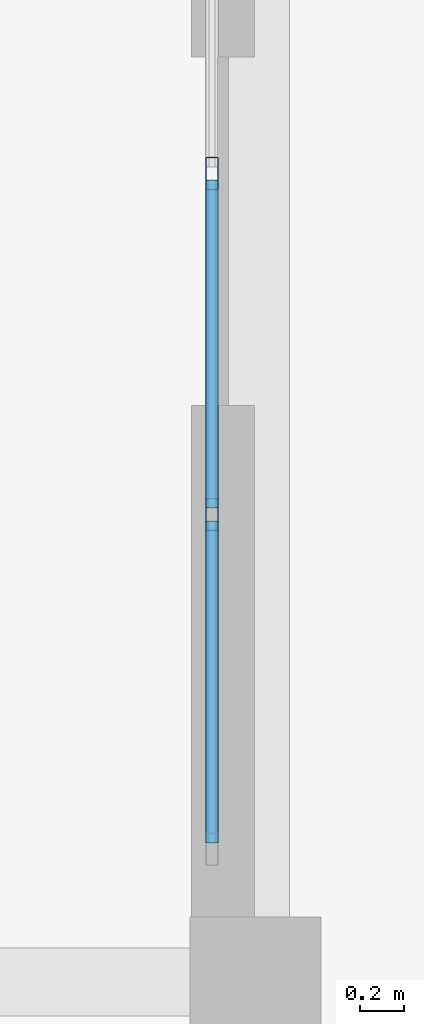
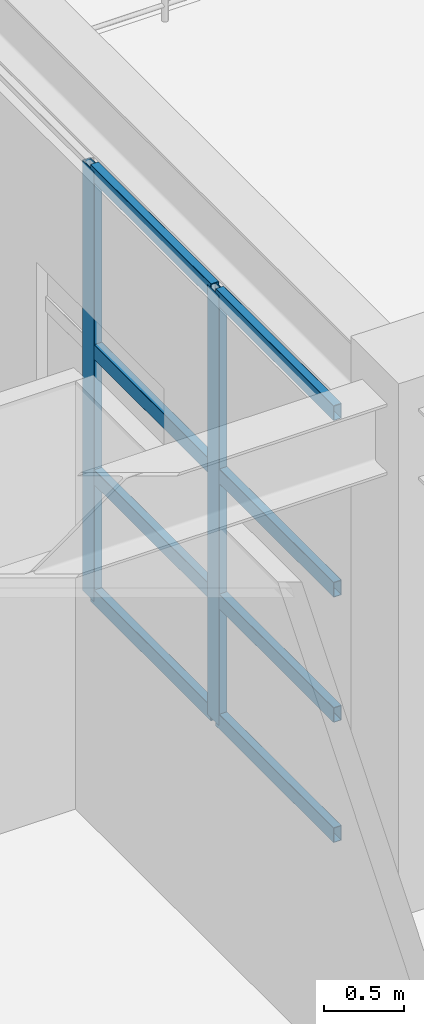
# One storey, part 38 of 110: 10 members, 1 element without a shape of its own.
"""IFC4 building model written with IfcOpenShell, lengths in metres."""

from ifc_helpers import new_model, si_unit, direction, frame, origin, origin_2d, place, context, subcontext, project, spatial, hollow_rectangle, extrude, material, material_profile, profile_set, type_object, element, aggregate, save


model = new_model("IFC4")

# Units and contexts
model_context = context("Model", 3, precision=1e-05, world=origin(), true_north=direction((0.0, 1.0)))
body_context = subcontext(model_context, "Body", "Model", "MODEL_VIEW")
ifc_project = project(units=[si_unit("LENGTHUNIT", "METRE"), si_unit("AREAUNIT", "SQUARE_METRE"), si_unit("VOLUMEUNIT", "CUBIC_METRE"), si_unit("PLANEANGLEUNIT", "RADIAN"), si_unit("MASSUNIT", "GRAM", prefix="KILO")], contexts=[model_context])

# Site, building, storey
site_placement = place(None, origin())
site = spatial("IfcSite", under=ifc_project, at=site_placement, CompositionType="ELEMENT")
building_placement = place(site_placement, origin())
building = spatial("IfcBuilding", under=site, at=building_placement, Name="Miravela Opera House", CompositionType="ELEMENT")
storey_placement = place(building_placement, frame((0.0, 0.0, 13.60009765625)))
storey = spatial("IfcBuildingStorey", under=building, at=storey_placement, Name="L03", CompositionType="ELEMENT", Elevation=13.60009765625)

# Curtain wall, members
ifc_material = material(Name="Anodised architectural bronze aluminium 6063-T6", Category="aluminium")
curtain_wall_type = type_object("IfcCurtainWallType", Name="ARC-CW-08", PredefinedType="NOTDEFINED", material=ifc_material)
curtain_wall_placement = place(storey_placement, origin())
curtain_wall = element("IfcCurtainWall", 1, at=curtain_wall_placement, inside=storey, type_object=curtain_wall_type, Name="Courtyard Arcade Curtain Wall CW-L03-203", PredefinedType="NOTDEFINED")
ifc_material_profile_1 = material_profile(ifc_material, hollow_rectangle(XDim=0.06005859375, YDim=0.14990234375, WallThickness=0.00390625, InnerFilletRadius=0.001953125, OuterFilletRadius=0.00390625, at=origin_2d()), Name="CWM-60X150")
ifc_profile_set_1 = profile_set([ifc_material_profile_1])
member_type_1 = type_object("IfcMemberType", Name="ARC-CWM-150", PredefinedType="MULLION", material=ifc_profile_set_1)
member_1_placement = place(storey_placement, frame((89.800048828125, 30.14794921875, 0.0), z_axis=(0.0, 0.0, 1.0), x_axis=(-1.0, 0.0, 0.0)))
member_1 = element("IfcMember", 2, at=member_1_placement, type_object=member_type_1, Name="CW-08 mullion 2", PredefinedType="MULLION", context=body_context, shape_type="SweptSolid", body=[
    extrude(hollow_rectangle(XDim=0.06005859375, YDim=0.14990234375, WallThickness=0.00390625, InnerFilletRadius=0.001953125, OuterFilletRadius=0.00390625, at=origin_2d()), origin(), (0.0, 0.0, 1.0), 3.289794921875),
])
member_2_placement = place(storey_placement, frame((89.800048828125, 31.716064453125, 0.0), z_axis=(0.0, 0.0, 1.0), x_axis=(-1.0, 0.0, 0.0)))
member_2 = element("IfcMember", 3, at=member_2_placement, type_object=member_type_1, Name="CW-08 mullion 3", PredefinedType="MULLION", context=body_context, shape_type="SweptSolid", body=[
    extrude(hollow_rectangle(XDim=0.06005859375, YDim=0.14990234375, WallThickness=0.00390625, InnerFilletRadius=0.001953125, OuterFilletRadius=0.00390625, at=origin_2d()), origin(), (0.0, 0.0, 1.0), 3.289794921875),
])
ifc_material_profile_2 = material_profile(ifc_material, hollow_rectangle(XDim=0.06005859375, YDim=0.114990234375, WallThickness=0.00390625, InnerFilletRadius=0.001953125, OuterFilletRadius=0.00390625, at=origin_2d()), Name="CWT-60X115")
ifc_profile_set_2 = profile_set([ifc_material_profile_2])
member_type_2 = type_object("IfcMemberType", Name="ARC-CWT-115", PredefinedType="USERDEFINED", material=ifc_profile_set_2)
member_3_placement = place(storey_placement, frame((89.800048828125, 28.639892578125, 0.02978515625), z_axis=(0.0, 1.0, 0.0), x_axis=(-1.0, 0.0, 0.0)))
member_3 = element("IfcMember", 4, at=member_3_placement, type_object=member_type_2, Name="CW-08 transom 1.1", ObjectType="TRANSOM", PredefinedType="USERDEFINED", context=body_context, shape_type="SweptSolid", body=[
    extrude(hollow_rectangle(XDim=0.06005859375, YDim=0.114990234375, WallThickness=0.00390625, InnerFilletRadius=0.001953125, OuterFilletRadius=0.00390625, at=origin_2d()), origin(), (0.0, 0.0, 1.0), 1.47802734375),
])
member_4_placement = place(storey_placement, frame((89.800048828125, 28.639892578125, 0.949951171875), z_axis=(0.0, 1.0, 0.0), x_axis=(-1.0, 0.0, 0.0)))
member_4 = element("IfcMember", 5, at=member_4_placement, type_object=member_type_2, Name="CW-08 transom 1.2", ObjectType="TRANSOM", PredefinedType="USERDEFINED", context=body_context, shape_type="SweptSolid", body=[
    extrude(hollow_rectangle(XDim=0.06005859375, YDim=0.114990234375, WallThickness=0.00390625, InnerFilletRadius=0.001953125, OuterFilletRadius=0.00390625, at=origin_2d()), origin(), (0.0, 0.0, 1.0), 1.47802734375),
])
member_5_placement = place(storey_placement, frame((89.800048828125, 28.639892578125, 1.908203125), z_axis=(0.0, 1.0, 0.0), x_axis=(-1.0, 0.0, 0.0)))
member_5 = element("IfcMember", 6, at=member_5_placement, type_object=member_type_2, Name="CW-08 transom 1.3", ObjectType="TRANSOM", PredefinedType="USERDEFINED", context=body_context, shape_type="SweptSolid", body=[
    extrude(hollow_rectangle(XDim=0.06005859375, YDim=0.114990234375, WallThickness=0.00390625, InnerFilletRadius=0.001953125, OuterFilletRadius=0.00390625, at=origin_2d()), origin(), (0.0, 0.0, 1.0), 1.47802734375),
])
member_6_placement = place(storey_placement, frame((89.800048828125, 28.639892578125, 3.260009765625), z_axis=(0.0, 1.0, 0.0), x_axis=(-1.0, 0.0, 0.0)))
member_6 = element("IfcMember", 7, at=member_6_placement, type_object=member_type_2, Name="CW-08 transom 1.4", ObjectType="TRANSOM", PredefinedType="USERDEFINED", context=body_context, shape_type="SweptSolid", body=[
    extrude(hollow_rectangle(XDim=0.06005859375, YDim=0.114990234375, WallThickness=0.00390625, InnerFilletRadius=0.001953125, OuterFilletRadius=0.00390625, at=origin_2d()), origin(), (0.0, 0.0, 1.0), 1.47802734375),
])
member_7_placement = place(storey_placement, frame((89.800048828125, 30.177978515625, 0.02978515625), z_axis=(0.0, 1.0, 0.0), x_axis=(-1.0, 0.0, 0.0)))
member_7 = element("IfcMember", 8, at=member_7_placement, type_object=member_type_2, Name="CW-08 transom 2.1", ObjectType="TRANSOM", PredefinedType="USERDEFINED", context=body_context, shape_type="SweptSolid", body=[
    extrude(hollow_rectangle(XDim=0.06005859375, YDim=0.114990234375, WallThickness=0.00390625, InnerFilletRadius=0.001953125, OuterFilletRadius=0.00390625, at=origin_2d()), origin(), (0.0, 0.0, 1.0), 1.508056640625),
])
member_8_placement = place(storey_placement, frame((89.800048828125, 30.177978515625, 0.949951171875), z_axis=(0.0, 1.0, 0.0), x_axis=(-1.0, 0.0, 0.0)))
member_8 = element("IfcMember", 9, at=member_8_placement, type_object=member_type_2, Name="CW-08 transom 2.2", ObjectType="TRANSOM", PredefinedType="USERDEFINED", context=body_context, shape_type="SweptSolid", body=[
    extrude(hollow_rectangle(XDim=0.06005859375, YDim=0.114990234375, WallThickness=0.00390625, InnerFilletRadius=0.001953125, OuterFilletRadius=0.00390625, at=origin_2d()), origin(), (0.0, 0.0, 1.0), 1.508056640625),
])
member_9_placement = place(storey_placement, frame((89.800048828125, 30.177978515625, 1.908203125), z_axis=(0.0, 1.0, 0.0), x_axis=(-1.0, 0.0, 0.0)))
member_9 = element("IfcMember", 10, at=member_9_placement, type_object=member_type_2, Name="CW-08 transom 2.3", ObjectType="TRANSOM", PredefinedType="USERDEFINED", context=body_context, shape_type="SweptSolid", body=[
    extrude(hollow_rectangle(XDim=0.06005859375, YDim=0.114990234375, WallThickness=0.00390625, InnerFilletRadius=0.001953125, OuterFilletRadius=0.00390625, at=origin_2d()), origin(), (0.0, 0.0, 1.0), 1.508056640625),
])
member_10_placement = place(storey_placement, frame((89.800048828125, 30.177978515625, 3.260009765625), z_axis=(0.0, 1.0, 0.0), x_axis=(-1.0, 0.0, 0.0)))
member_10 = element("IfcMember", 11, at=member_10_placement, type_object=member_type_2, Name="CW-08 transom 2.4", ObjectType="TRANSOM", PredefinedType="USERDEFINED", context=body_context, shape_type="SweptSolid", body=[
    extrude(hollow_rectangle(XDim=0.06005859375, YDim=0.114990234375, WallThickness=0.00390625, InnerFilletRadius=0.001953125, OuterFilletRadius=0.00390625, at=origin_2d()), origin(), (0.0, 0.0, 1.0), 1.508056640625),
])
aggregate(curtain_wall, [member_1, member_2, member_3, member_4, member_5, member_6, member_7, member_8, member_9, member_10])

save(model, "model.ifc")
